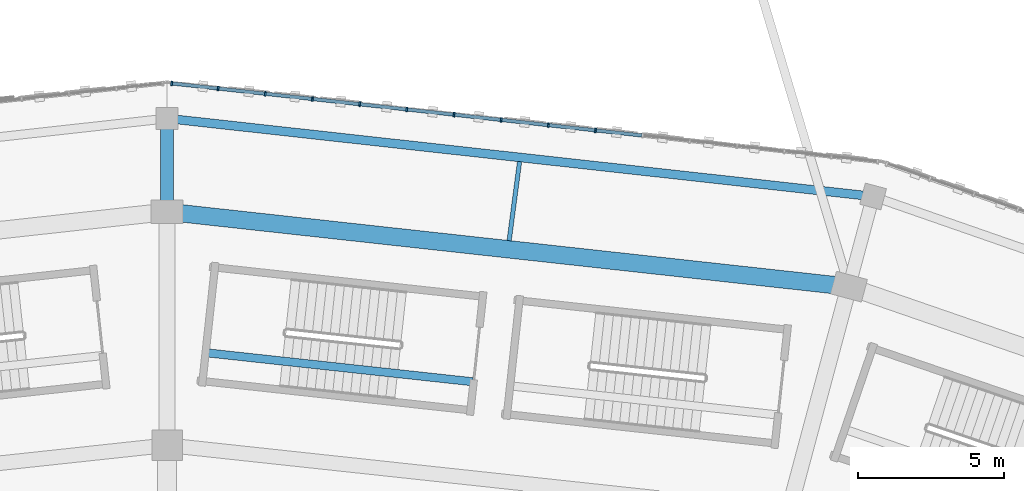
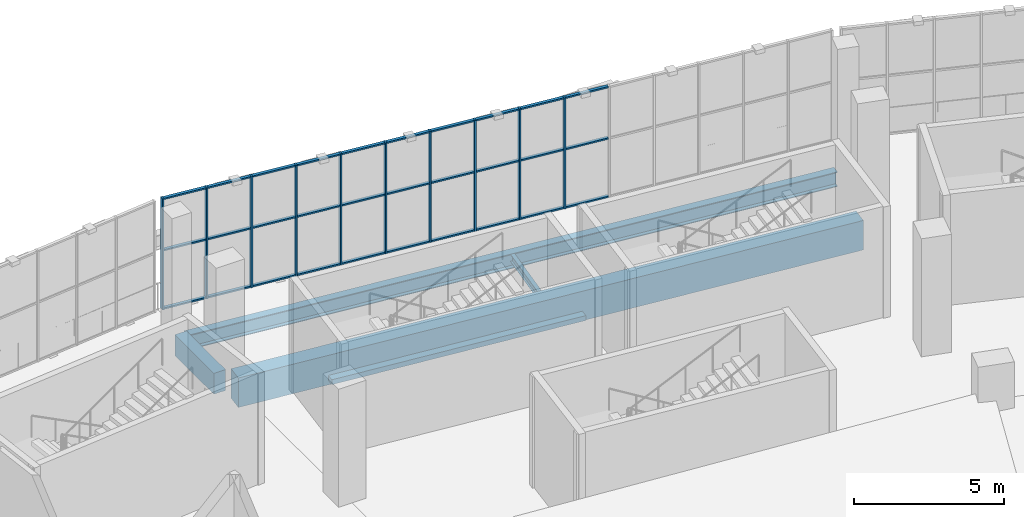
# One storey, part 59 of 183: 40 members, 5 beams, 1 element without a shape of its own.
"""IFC4 building model written with IfcOpenShell, lengths in metres."""

import ifcopenshell
import ifcopenshell.guid

model = None  # the IFC model being written
_history = None  # IfcOwnerHistory: only IFC2X3 demands one
_inside = {}  # id of a spatial element -> (the spatial element, [elements in it])
_under = {}  # id of a project, library or spatial element -> (it, [spatial elements below it])
_declared = {}  # id of a project -> (the project, [libraries it declares])
_typed = {}  # id of a type object -> (the type object, [elements of that type])
_made_of = {}  # id of a material, layer set ... -> (it, [elements and type objects made of it])


def new_model(schema):
    """Start an empty IFC model of exactly this schema.

    Asked for "IFC4X3", IfcOpenShell would pick the latest addendum, in which some entities
    have other attributes; the version numbers below select the first issue.
    IFC2X3 requires an IfcOwnerHistory on every rooted entity: one is made here for all.
    """
    global model, _history
    if schema == "IFC4X3":
        model = ifcopenshell.file(schema_version=(4, 3, 0, 0))
    else:
        model = ifcopenshell.file(schema=schema)
    _inside.clear()
    _under.clear()
    _declared.clear()
    _typed.clear()
    _made_of.clear()
    _history = None
    if model.schema == "IFC2X3":
        org = make("IfcOrganization", Name="unknown")
        user = make(
            "IfcPersonAndOrganization",
            ThePerson=make("IfcPerson", FamilyName="unknown"),
            TheOrganization=org,
        )
        app = make(
            "IfcApplication",
            ApplicationDeveloper=org,
            Version="unknown",
            ApplicationFullName="unknown",
            ApplicationIdentifier="unknown",
        )
        _history = make(
            "IfcOwnerHistory",
            OwningUser=user,
            OwningApplication=app,
            ChangeAction="ADDED",
            CreationDate=0,
        )
    return model


def make(cls, **values):
    """One entity of the class cls with the attributes given. An attribute that is None is left unset."""
    return model.create_entity(
        cls, **{name: value for name, value in values.items() if value is not None}
    )


def rooted(cls, **values):
    """An entity with a GlobalId (a new one), such as an element, a storey or a relation."""
    return make(cls, GlobalId=ifcopenshell.guid.new(), OwnerHistory=_history, **values)


def si_unit(unit_type, name, prefix=None):
    """IfcSIUnit, for example si_unit("LENGTHUNIT", "METRE", prefix="MILLI")."""
    return make("IfcSIUnit", UnitType=unit_type, Prefix=prefix, Name=name)


def assignment(units):
    """IfcUnitAssignment: the units of a project."""
    return None if units is None else make("IfcUnitAssignment", Units=units)


def point(xyz):
    """IfcCartesianPoint."""
    return None if xyz is None else make("IfcCartesianPoint", Coordinates=xyz)


def direction(xyz):
    """IfcDirection."""
    return None if xyz is None else make("IfcDirection", DirectionRatios=xyz)


def frame(location, z_axis=None, x_axis=None):
    """IfcAxis2Placement3D, a coordinate frame: its origin and axes. An axis left out is left unset."""
    return make(
        "IfcAxis2Placement3D",
        Location=point(location),
        Axis=direction(z_axis),
        RefDirection=direction(x_axis),
    )


def frame_2d(location, x_axis=None):
    """IfcAxis2Placement2D, a coordinate frame in the plane: its origin and x axis."""
    return make(
        "IfcAxis2Placement2D", Location=point(location), RefDirection=direction(x_axis)
    )


def origin():
    """The frame at (0, 0, 0) with its axes left unset."""
    return frame((0.0, 0.0, 0.0))


def origin_2d():
    """The frame at (0, 0) in the plane with its x axis left unset."""
    return frame_2d((0.0, 0.0))


def place(relative_to, where):
    """IfcLocalPlacement: puts the frame where relative to a parent placement (None: the world)."""
    return make(
        "IfcLocalPlacement", PlacementRelTo=relative_to, RelativePlacement=where
    )


def context(
    kind, dimensions, precision=None, world=None, true_north=None, identifier=None
):
    """IfcGeometricRepresentationContext, for example the 3D "Model" context."""
    return make(
        "IfcGeometricRepresentationContext",
        ContextIdentifier=identifier,
        ContextType=kind,
        CoordinateSpaceDimension=dimensions,
        Precision=precision,
        WorldCoordinateSystem=world,
        TrueNorth=true_north,
    )


def subcontext(parent, identifier, kind, view, scale=None):
    """IfcGeometricRepresentationSubContext, for example "Body" below "Model"."""
    return make(
        "IfcGeometricRepresentationSubContext",
        ContextIdentifier=identifier,
        ContextType=kind,
        ParentContext=parent,
        TargetScale=scale,
        TargetView=view,
    )


def project(units=None, contexts=None):
    """IfcProject with its units and contexts."""
    return rooted(
        "IfcProject",
        Name="project",
        RepresentationContexts=contexts,
        UnitsInContext=assignment(units),
    )


def spatial(cls, under=None, at=None, **own):
    """A site, building, storey or space (cls), placed at a placement, below another one or the project."""
    s = rooted(cls, ObjectPlacement=at, **own)
    if under is not None:
        _under.setdefault(under.id(), (under, []))[1].append(s)
    return s


def profile(cls, at=None, kind="AREA", **sizes):
    """A parametric profile (cls). Its sizes go by their IFC names, for example OverallWidth=200.0."""
    return make(cls, ProfileType=kind, Position=at, **sizes)


def rectangle(**sizes):
    """IfcRectangleProfileDef."""
    return profile("IfcRectangleProfileDef", **sizes)


def i_section(**sizes):
    """IfcIShapeProfileDef."""
    return profile("IfcIShapeProfileDef", **sizes)


def extrude(swept, where, along, depth):
    """IfcExtrudedAreaSolid: the profile swept, set in the frame where, extruded along a direction by depth."""
    return make(
        "IfcExtrudedAreaSolid",
        SweptArea=swept,
        Position=where,
        ExtrudedDirection=direction(along),
        Depth=depth,
    )


def shape(context_of_items, identifier, shape_type, items):
    """IfcShapeRepresentation: the items that make up one representation, for example the "Body"."""
    return make(
        "IfcShapeRepresentation",
        ContextOfItems=context_of_items,
        RepresentationIdentifier=identifier,
        RepresentationType=shape_type,
        Items=items,
    )


def material(Name=None, Category=None):
    """IfcMaterial."""
    return make("IfcMaterial", Name=Name, Category=Category)


def material_profile(
    of_material, cross_section, Name=None, Category=None, Priority=None
):
    """IfcMaterialProfile: a cross section and its material."""
    return make(
        "IfcMaterialProfile",
        Name=Name,
        Material=of_material,
        Profile=cross_section,
        Priority=Priority,
        Category=Category,
    )


def profile_set(profiles, Name=None, composite=None):
    """IfcMaterialProfileSet."""
    return make(
        "IfcMaterialProfileSet",
        Name=Name,
        MaterialProfiles=profiles,
        CompositeProfile=composite,
    )


def made_of(thing, what):
    """Note that an element or type object is made of a material, layer set ...; save() writes the relation."""
    if what is not None:
        _made_of.setdefault(what.id(), (what, []))[1].append(thing)
    return thing


def type_object(cls, material=None, **own):
    """A type object (cls), such as IfcWallType, which elements share."""
    return made_of(rooted(cls, **own), material)


def element(
    cls,
    number,
    at=None,
    inside=None,
    cuts=None,
    type_object=None,
    material=None,
    context=None,
    identifier="Body",
    shape_type=None,
    held_by="IfcProductDefinitionShape",
    body=None,
    shapes=None,
    **own,
):
    """One element of the class cls, such as IfcWall. Its Tag is "e" and its number.

    at: its placement. inside: the storey or other place that contains it. cuts: it is an
    opening in that element (IfcRelVoidsElement). A single representation is given by context,
    identifier, shape_type and body (its items); several are given by shapes. held_by: the class
    of the entity that holds the representations. save() writes the other relations.
    """
    e = rooted(cls, Tag="e%d" % number, ObjectPlacement=at, **own)
    if body is not None:
        shapes = [shape(context, identifier, shape_type, body)]
    if shapes is not None:
        e.Representation = make(held_by, Representations=shapes)
    if inside is not None:
        _inside.setdefault(inside.id(), (inside, []))[1].append(e)
    if cuts is not None:
        rooted(
            "IfcRelVoidsElement", RelatingBuildingElement=cuts, RelatedOpeningElement=e
        )
    if type_object is not None:
        _typed.setdefault(type_object.id(), (type_object, []))[1].append(e)
    return made_of(e, material)


def aggregate(whole, parts):
    """IfcRelAggregates: a whole, such as a stair, and the parts it consists of."""
    return rooted("IfcRelAggregates", RelatingObject=whole, RelatedObjects=parts)


def save(model, path):
    """Write the relations noted so far, then the file.

    IfcRelAggregates (storeys below a building ...), IfcRelContainedInSpatialStructure (elements
    in a storey), IfcRelDefinesByType, IfcRelAssociatesMaterial and IfcRelDeclares: one each for
    every whole, place, type object, material and project.
    """
    for whole, parts in _under.values():
        aggregate(whole, parts)
    for where, things in _inside.values():
        rooted(
            "IfcRelContainedInSpatialStructure",
            RelatedElements=things,
            RelatingStructure=where,
        )
    for kind, things in _typed.values():
        rooted("IfcRelDefinesByType", RelatedObjects=things, RelatingType=kind)
    for what, things in _made_of.values():
        rooted("IfcRelAssociatesMaterial", RelatedObjects=things, RelatingMaterial=what)
    for by, libraries in _declared.values():
        rooted("IfcRelDeclares", RelatingContext=by, RelatedDefinitions=libraries)
    model.write(path)


model = new_model("IFC4")

# Units and contexts
model_context = context("Model", 3, precision=1e-05, world=origin(), true_north=direction((0.0, 1.0)))
body_context = subcontext(model_context, "Body", "Model", "MODEL_VIEW")
ifc_project = project(units=[si_unit("LENGTHUNIT", "METRE"), si_unit("AREAUNIT", "SQUARE_METRE"), si_unit("VOLUMEUNIT", "CUBIC_METRE"), si_unit("PLANEANGLEUNIT", "RADIAN"), si_unit("MASSUNIT", "GRAM", prefix="KILO")], contexts=[model_context])

# Site, building, storey
site_placement = place(None, origin())
site = spatial("IfcSite", under=ifc_project, at=site_placement, CompositionType="ELEMENT")
building_placement = place(site_placement, origin())
building = spatial("IfcBuilding", under=site, at=building_placement, Name="Zevraka Park Crest Stadium", CompositionType="ELEMENT")
storey_placement = place(building_placement, frame((0.0, 0.0, 5.39990234375)))
storey = spatial("IfcBuildingStorey", under=building, at=storey_placement, Name="L01", CompositionType="ELEMENT", Elevation=5.39990234375)

# Beam
ifc_material_1 = material(Name="Concrete C40/50", Category="concrete")
ifc_material_profile_1 = material_profile(ifc_material_1, rectangle(XDim=0.449951171875, YDim=0.85009765625, at=origin_2d()), Name="RC 850x450")
ifc_profile_set_1 = profile_set([ifc_material_profile_1], Name="Concrete C40/50")
beam_type_1 = type_object("IfcBeamType", Name="BG03", PredefinedType="BEAM", material=ifc_profile_set_1)
beam_1_placement = place(storey_placement, frame((112.0, 167.60009765625, -0.434814453125), z_axis=(0.0, 1.0, 0.0), x_axis=(-1.0, 0.0, 0.0)))
element("IfcBeam", 1, at=beam_1_placement, inside=storey, type_object=beam_type_1, Name="Radial Girder BG03 L01-DE-06", PredefinedType="BEAM", context=body_context, shape_type="SweptSolid", body=[
    extrude(rectangle(XDim=0.449951171875, YDim=0.85009765625, at=origin_2d()), origin(), (0.0, 0.0, 1.0), 2.599853515625),
])

# Curtain wall, members
ifc_material_2 = material(Name="Anodised architectural aluminium and laminated safety glass", Category="aluminium")
curtain_wall_type = type_object("IfcCurtainWallType", Name="CW01", PredefinedType="NOTDEFINED", material=ifc_material_2)
curtain_wall_placement = place(storey_placement, origin())
curtain_wall = element("IfcCurtainWall", 2, at=curtain_wall_placement, inside=storey, type_object=curtain_wall_type, Name="Unitised Ring Curtain Wall CW01 L01-05", PredefinedType="NOTDEFINED")
ifc_material_3 = material(Name="Anodised architectural aluminium", Category="aluminium")
ifc_material_profile_2 = material_profile(ifc_material_3, rectangle(XDim=0.159912109375, YDim=0.06005859375, at=origin_2d()), Name="ALU MULLION 160x60")
ifc_profile_set_2 = profile_set([ifc_material_profile_2], Name="Anodised architectural aluminium")
member_type_1 = type_object("IfcMemberType", Name="CM01", PredefinedType="MULLION", material=ifc_profile_set_2)
member_1_placement = place(storey_placement, frame((126.684814453125, 170.09228515625, 0.0), z_axis=(0.0, 0.0, 1.0), x_axis=(-0.110134718639, -0.993916668414, 0.0)))
member_1 = element("IfcMember", 3, at=member_1_placement, type_object=member_type_1, Name="CW01 mullion 7", PredefinedType="MULLION", context=body_context, shape_type="SweptSolid", body=[
    extrude(rectangle(XDim=0.159912109375, YDim=0.06005859375, at=origin_2d()), origin(), (0.0, 0.0, 1.0), 4.52001953125),
])
member_2_placement = place(storey_placement, frame((125.067626953125, 170.271484375, 0.0), z_axis=(0.0, 0.0, 1.0), x_axis=(-0.110134718639, -0.993916668414, 0.0)))
member_2 = element("IfcMember", 4, at=member_2_placement, type_object=member_type_1, Name="CW01 mullion 8", PredefinedType="MULLION", context=body_context, shape_type="SweptSolid", body=[
    extrude(rectangle(XDim=0.159912109375, YDim=0.06005859375, at=origin_2d()), origin(), (0.0, 0.0, 1.0), 4.52001953125),
])
member_3_placement = place(storey_placement, frame((123.450439453125, 170.45068359375, 0.0), z_axis=(0.0, 0.0, 1.0), x_axis=(-0.110134718639, -0.993916668414, 0.0)))
member_3 = element("IfcMember", 5, at=member_3_placement, type_object=member_type_1, Name="CW01 mullion 9", PredefinedType="MULLION", context=body_context, shape_type="SweptSolid", body=[
    extrude(rectangle(XDim=0.159912109375, YDim=0.06005859375, at=origin_2d()), origin(), (0.0, 0.0, 1.0), 4.52001953125),
])
member_4_placement = place(storey_placement, frame((121.833251953125, 170.6298828125, 0.0), z_axis=(0.0, 0.0, 1.0), x_axis=(-0.110134718639, -0.993916668414, 0.0)))
member_4 = element("IfcMember", 6, at=member_4_placement, type_object=member_type_1, Name="CW01 mullion 10", PredefinedType="MULLION", context=body_context, shape_type="SweptSolid", body=[
    extrude(rectangle(XDim=0.159912109375, YDim=0.06005859375, at=origin_2d()), origin(), (0.0, 0.0, 1.0), 4.52001953125),
])
member_5_placement = place(storey_placement, frame((120.216064453125, 170.80908203125, 0.0), z_axis=(0.0, 0.0, 1.0), x_axis=(-0.110134718639, -0.993916668414, 0.0)))
member_5 = element("IfcMember", 7, at=member_5_placement, type_object=member_type_1, Name="CW01 mullion 11", PredefinedType="MULLION", context=body_context, shape_type="SweptSolid", body=[
    extrude(rectangle(XDim=0.159912109375, YDim=0.06005859375, at=origin_2d()), origin(), (0.0, 0.0, 1.0), 4.52001953125),
])
member_6_placement = place(storey_placement, frame((118.598876953125, 170.98828125, 0.0), z_axis=(0.0, 0.0, 1.0), x_axis=(-0.110134718639, -0.993916668414, 0.0)))
member_6 = element("IfcMember", 8, at=member_6_placement, type_object=member_type_1, Name="CW01 mullion 12", PredefinedType="MULLION", context=body_context, shape_type="SweptSolid", body=[
    extrude(rectangle(XDim=0.159912109375, YDim=0.06005859375, at=origin_2d()), origin(), (0.0, 0.0, 1.0), 4.52001953125),
])
member_7_placement = place(storey_placement, frame((116.981689453125, 171.16748046875, 0.0), z_axis=(0.0, 0.0, 1.0), x_axis=(-0.110134718639, -0.993916668414, 0.0)))
member_7 = element("IfcMember", 9, at=member_7_placement, type_object=member_type_1, Name="CW01 mullion 13", PredefinedType="MULLION", context=body_context, shape_type="SweptSolid", body=[
    extrude(rectangle(XDim=0.159912109375, YDim=0.06005859375, at=origin_2d()), origin(), (0.0, 0.0, 1.0), 4.52001953125),
])
member_8_placement = place(storey_placement, frame((115.364501953125, 171.3466796875, 0.0), z_axis=(0.0, 0.0, 1.0), x_axis=(-0.110134718639, -0.993916668414, 0.0)))
member_8 = element("IfcMember", 10, at=member_8_placement, type_object=member_type_1, Name="CW01 mullion 14", PredefinedType="MULLION", context=body_context, shape_type="SweptSolid", body=[
    extrude(rectangle(XDim=0.159912109375, YDim=0.06005859375, at=origin_2d()), origin(), (0.0, 0.0, 1.0), 4.52001953125),
])
member_9_placement = place(storey_placement, frame((113.747314453125, 171.52587890625, 0.0), z_axis=(0.0, 0.0, 1.0), x_axis=(-0.110134718639, -0.993916668414, 0.0)))
member_9 = element("IfcMember", 11, at=member_9_placement, type_object=member_type_1, Name="CW01 mullion 15", PredefinedType="MULLION", context=body_context, shape_type="SweptSolid", body=[
    extrude(rectangle(XDim=0.159912109375, YDim=0.06005859375, at=origin_2d()), origin(), (0.0, 0.0, 1.0), 4.52001953125),
])
member_10_placement = place(storey_placement, frame((112.159912109375, 171.70166015625, 0.0), z_axis=(0.0, 0.0, 1.0), x_axis=(-0.110134718639, -0.993916668414, 0.0)))
member_10 = element("IfcMember", 12, at=member_10_placement, type_object=member_type_1, Name="CW01 mullion 16", PredefinedType="MULLION", context=body_context, shape_type="SweptSolid", body=[
    extrude(rectangle(XDim=0.159912109375, YDim=0.06005859375, at=origin_2d()), origin(), (0.0, 0.0, 1.0), 4.52001953125),
])
ifc_material_4 = material(Name="Anodised architectural aluminium", Category="aluminium")
ifc_material_profile_3 = material_profile(ifc_material_4, rectangle(XDim=0.1201171875, YDim=0.06005859375, at=origin_2d()), Name="ALU TRANSOM 120x60")
ifc_profile_set_3 = profile_set([ifc_material_profile_3], Name="Anodised architectural aluminium")
member_type_2 = type_object("IfcMemberType", Name="CT01", PredefinedType="USERDEFINED", material=ifc_profile_set_3)
member_11_placement = place(storey_placement, frame((128.272216796875, 169.916259765625, 0.030029296875), z_axis=(-0.993915989308, 0.110140847091, 0.0), x_axis=(-0.110140847091, -0.993915989308, 0.0)))
member_11 = element("IfcMember", 13, at=member_11_placement, type_object=member_type_2, Name="CW01 transom 6.1", ObjectType="TRANSOM", PredefinedType="USERDEFINED", context=body_context, shape_type="SweptSolid", body=[
    extrude(rectangle(XDim=0.1201171875, YDim=0.06005859375, at=origin_2d()), origin(), (0.0, 0.0, 1.0), 1.567138671875),
])
member_12_placement = place(storey_placement, frame((128.272216796875, 169.916259765625, 2.400146484375), z_axis=(-0.993915989308, 0.110140847091, 0.0), x_axis=(-0.110140847091, -0.993915989308, 0.0)))
member_12 = element("IfcMember", 14, at=member_12_placement, type_object=member_type_2, Name="CW01 transom 6.2", ObjectType="TRANSOM", PredefinedType="USERDEFINED", context=body_context, shape_type="SweptSolid", body=[
    extrude(rectangle(XDim=0.1201171875, YDim=0.06005859375, at=origin_2d()), origin(), (0.0, 0.0, 1.0), 1.567138671875),
])
member_13_placement = place(storey_placement, frame((128.272216796875, 169.916259765625, 4.489990234375), z_axis=(-0.993915989308, 0.110140847091, 0.0), x_axis=(-0.110140847091, -0.993915989308, 0.0)))
member_13 = element("IfcMember", 15, at=member_13_placement, type_object=member_type_2, Name="CW01 transom 6.3", ObjectType="TRANSOM", PredefinedType="USERDEFINED", context=body_context, shape_type="SweptSolid", body=[
    extrude(rectangle(XDim=0.1201171875, YDim=0.06005859375, at=origin_2d()), origin(), (0.0, 0.0, 1.0), 1.567138671875),
])
member_14_placement = place(storey_placement, frame((126.655029296875, 170.095458984375, 0.030029296875), z_axis=(-0.993915989308, 0.110140847091, 0.0), x_axis=(-0.110140847091, -0.993915989308, 0.0)))
member_14 = element("IfcMember", 16, at=member_14_placement, type_object=member_type_2, Name="CW01 transom 7.1", ObjectType="TRANSOM", PredefinedType="USERDEFINED", context=body_context, shape_type="SweptSolid", body=[
    extrude(rectangle(XDim=0.1201171875, YDim=0.06005859375, at=origin_2d()), origin(), (0.0, 0.0, 1.0), 1.567138671875),
])
member_15_placement = place(storey_placement, frame((126.655029296875, 170.095458984375, 2.400146484375), z_axis=(-0.993915989308, 0.110140847091, 0.0), x_axis=(-0.110140847091, -0.993915989308, 0.0)))
member_15 = element("IfcMember", 17, at=member_15_placement, type_object=member_type_2, Name="CW01 transom 7.2", ObjectType="TRANSOM", PredefinedType="USERDEFINED", context=body_context, shape_type="SweptSolid", body=[
    extrude(rectangle(XDim=0.1201171875, YDim=0.06005859375, at=origin_2d()), origin(), (0.0, 0.0, 1.0), 1.567138671875),
])
member_16_placement = place(storey_placement, frame((126.655029296875, 170.095458984375, 4.489990234375), z_axis=(-0.993915989308, 0.110140847091, 0.0), x_axis=(-0.110140847091, -0.993915989308, 0.0)))
member_16 = element("IfcMember", 18, at=member_16_placement, type_object=member_type_2, Name="CW01 transom 7.3", ObjectType="TRANSOM", PredefinedType="USERDEFINED", context=body_context, shape_type="SweptSolid", body=[
    extrude(rectangle(XDim=0.1201171875, YDim=0.06005859375, at=origin_2d()), origin(), (0.0, 0.0, 1.0), 1.567138671875),
])
member_17_placement = place(storey_placement, frame((125.037841796875, 170.274658203125, 0.030029296875), z_axis=(-0.993915989308, 0.110140847091, 0.0), x_axis=(-0.110140847091, -0.993915989308, 0.0)))
member_17 = element("IfcMember", 19, at=member_17_placement, type_object=member_type_2, Name="CW01 transom 8.1", ObjectType="TRANSOM", PredefinedType="USERDEFINED", context=body_context, shape_type="SweptSolid", body=[
    extrude(rectangle(XDim=0.1201171875, YDim=0.06005859375, at=origin_2d()), origin(), (0.0, 0.0, 1.0), 1.567138671875),
])
member_18_placement = place(storey_placement, frame((125.037841796875, 170.274658203125, 2.400146484375), z_axis=(-0.993915989308, 0.110140847091, 0.0), x_axis=(-0.110140847091, -0.993915989308, 0.0)))
member_18 = element("IfcMember", 20, at=member_18_placement, type_object=member_type_2, Name="CW01 transom 8.2", ObjectType="TRANSOM", PredefinedType="USERDEFINED", context=body_context, shape_type="SweptSolid", body=[
    extrude(rectangle(XDim=0.1201171875, YDim=0.06005859375, at=origin_2d()), origin(), (0.0, 0.0, 1.0), 1.567138671875),
])
member_19_placement = place(storey_placement, frame((125.037841796875, 170.274658203125, 4.489990234375), z_axis=(-0.993915989308, 0.110140847091, 0.0), x_axis=(-0.110140847091, -0.993915989308, 0.0)))
member_19 = element("IfcMember", 21, at=member_19_placement, type_object=member_type_2, Name="CW01 transom 8.3", ObjectType="TRANSOM", PredefinedType="USERDEFINED", context=body_context, shape_type="SweptSolid", body=[
    extrude(rectangle(XDim=0.1201171875, YDim=0.06005859375, at=origin_2d()), origin(), (0.0, 0.0, 1.0), 1.567138671875),
])
member_20_placement = place(storey_placement, frame((123.420654296875, 170.453857421875, 0.030029296875), z_axis=(-0.993915989308, 0.110140847091, 0.0), x_axis=(-0.110140847091, -0.993915989308, 0.0)))
member_20 = element("IfcMember", 22, at=member_20_placement, type_object=member_type_2, Name="CW01 transom 9.1", ObjectType="TRANSOM", PredefinedType="USERDEFINED", context=body_context, shape_type="SweptSolid", body=[
    extrude(rectangle(XDim=0.1201171875, YDim=0.06005859375, at=origin_2d()), origin(), (0.0, 0.0, 1.0), 1.567138671875),
])
member_21_placement = place(storey_placement, frame((123.420654296875, 170.453857421875, 2.400146484375), z_axis=(-0.993915989308, 0.110140847091, 0.0), x_axis=(-0.110140847091, -0.993915989308, 0.0)))
member_21 = element("IfcMember", 23, at=member_21_placement, type_object=member_type_2, Name="CW01 transom 9.2", ObjectType="TRANSOM", PredefinedType="USERDEFINED", context=body_context, shape_type="SweptSolid", body=[
    extrude(rectangle(XDim=0.1201171875, YDim=0.06005859375, at=origin_2d()), origin(), (0.0, 0.0, 1.0), 1.567138671875),
])
member_22_placement = place(storey_placement, frame((123.420654296875, 170.453857421875, 4.489990234375), z_axis=(-0.993915989308, 0.110140847091, 0.0), x_axis=(-0.110140847091, -0.993915989308, 0.0)))
member_22 = element("IfcMember", 24, at=member_22_placement, type_object=member_type_2, Name="CW01 transom 9.3", ObjectType="TRANSOM", PredefinedType="USERDEFINED", context=body_context, shape_type="SweptSolid", body=[
    extrude(rectangle(XDim=0.1201171875, YDim=0.06005859375, at=origin_2d()), origin(), (0.0, 0.0, 1.0), 1.567138671875),
])
member_23_placement = place(storey_placement, frame((121.803466796875, 170.633056640625, 0.030029296875), z_axis=(-0.993915989308, 0.110140847091, 0.0), x_axis=(-0.110140847091, -0.993915989308, 0.0)))
member_23 = element("IfcMember", 25, at=member_23_placement, type_object=member_type_2, Name="CW01 transom 10.1", ObjectType="TRANSOM", PredefinedType="USERDEFINED", context=body_context, shape_type="SweptSolid", body=[
    extrude(rectangle(XDim=0.1201171875, YDim=0.06005859375, at=origin_2d()), origin(), (0.0, 0.0, 1.0), 1.567138671875),
])
member_24_placement = place(storey_placement, frame((121.803466796875, 170.633056640625, 2.400146484375), z_axis=(-0.993915989308, 0.110140847091, 0.0), x_axis=(-0.110140847091, -0.993915989308, 0.0)))
member_24 = element("IfcMember", 26, at=member_24_placement, type_object=member_type_2, Name="CW01 transom 10.2", ObjectType="TRANSOM", PredefinedType="USERDEFINED", context=body_context, shape_type="SweptSolid", body=[
    extrude(rectangle(XDim=0.1201171875, YDim=0.06005859375, at=origin_2d()), origin(), (0.0, 0.0, 1.0), 1.567138671875),
])
member_25_placement = place(storey_placement, frame((121.803466796875, 170.633056640625, 4.489990234375), z_axis=(-0.993915989308, 0.110140847091, 0.0), x_axis=(-0.110140847091, -0.993915989308, 0.0)))
member_25 = element("IfcMember", 27, at=member_25_placement, type_object=member_type_2, Name="CW01 transom 10.3", ObjectType="TRANSOM", PredefinedType="USERDEFINED", context=body_context, shape_type="SweptSolid", body=[
    extrude(rectangle(XDim=0.1201171875, YDim=0.06005859375, at=origin_2d()), origin(), (0.0, 0.0, 1.0), 1.567138671875),
])
member_26_placement = place(storey_placement, frame((120.186279296875, 170.812255859375, 0.030029296875), z_axis=(-0.993915989308, 0.110140847091, 0.0), x_axis=(-0.110140847091, -0.993915989308, 0.0)))
member_26 = element("IfcMember", 28, at=member_26_placement, type_object=member_type_2, Name="CW01 transom 11.1", ObjectType="TRANSOM", PredefinedType="USERDEFINED", context=body_context, shape_type="SweptSolid", body=[
    extrude(rectangle(XDim=0.1201171875, YDim=0.06005859375, at=origin_2d()), origin(), (0.0, 0.0, 1.0), 1.567138671875),
])
member_27_placement = place(storey_placement, frame((120.186279296875, 170.812255859375, 2.400146484375), z_axis=(-0.993915989308, 0.110140847091, 0.0), x_axis=(-0.110140847091, -0.993915989308, 0.0)))
member_27 = element("IfcMember", 29, at=member_27_placement, type_object=member_type_2, Name="CW01 transom 11.2", ObjectType="TRANSOM", PredefinedType="USERDEFINED", context=body_context, shape_type="SweptSolid", body=[
    extrude(rectangle(XDim=0.1201171875, YDim=0.06005859375, at=origin_2d()), origin(), (0.0, 0.0, 1.0), 1.567138671875),
])
member_28_placement = place(storey_placement, frame((120.186279296875, 170.812255859375, 4.489990234375), z_axis=(-0.993915989308, 0.110140847091, 0.0), x_axis=(-0.110140847091, -0.993915989308, 0.0)))
member_28 = element("IfcMember", 30, at=member_28_placement, type_object=member_type_2, Name="CW01 transom 11.3", ObjectType="TRANSOM", PredefinedType="USERDEFINED", context=body_context, shape_type="SweptSolid", body=[
    extrude(rectangle(XDim=0.1201171875, YDim=0.06005859375, at=origin_2d()), origin(), (0.0, 0.0, 1.0), 1.567138671875),
])
member_29_placement = place(storey_placement, frame((118.569091796875, 170.991455078125, 0.030029296875), z_axis=(-0.993915989308, 0.110140847091, 0.0), x_axis=(-0.110140847091, -0.993915989308, 0.0)))
member_29 = element("IfcMember", 31, at=member_29_placement, type_object=member_type_2, Name="CW01 transom 12.1", ObjectType="TRANSOM", PredefinedType="USERDEFINED", context=body_context, shape_type="SweptSolid", body=[
    extrude(rectangle(XDim=0.1201171875, YDim=0.06005859375, at=origin_2d()), origin(), (0.0, 0.0, 1.0), 1.567138671875),
])
member_30_placement = place(storey_placement, frame((118.569091796875, 170.991455078125, 2.400146484375), z_axis=(-0.993915989308, 0.110140847091, 0.0), x_axis=(-0.110140847091, -0.993915989308, 0.0)))
member_30 = element("IfcMember", 32, at=member_30_placement, type_object=member_type_2, Name="CW01 transom 12.2", ObjectType="TRANSOM", PredefinedType="USERDEFINED", context=body_context, shape_type="SweptSolid", body=[
    extrude(rectangle(XDim=0.1201171875, YDim=0.06005859375, at=origin_2d()), origin(), (0.0, 0.0, 1.0), 1.567138671875),
])
member_31_placement = place(storey_placement, frame((118.569091796875, 170.991455078125, 4.489990234375), z_axis=(-0.993915989308, 0.110140847091, 0.0), x_axis=(-0.110140847091, -0.993915989308, 0.0)))
member_31 = element("IfcMember", 33, at=member_31_placement, type_object=member_type_2, Name="CW01 transom 12.3", ObjectType="TRANSOM", PredefinedType="USERDEFINED", context=body_context, shape_type="SweptSolid", body=[
    extrude(rectangle(XDim=0.1201171875, YDim=0.06005859375, at=origin_2d()), origin(), (0.0, 0.0, 1.0), 1.567138671875),
])
member_32_placement = place(storey_placement, frame((116.951904296875, 171.170654296875, 0.030029296875), z_axis=(-0.993915989308, 0.110140847091, 0.0), x_axis=(-0.110140847091, -0.993915989308, 0.0)))
member_32 = element("IfcMember", 34, at=member_32_placement, type_object=member_type_2, Name="CW01 transom 13.1", ObjectType="TRANSOM", PredefinedType="USERDEFINED", context=body_context, shape_type="SweptSolid", body=[
    extrude(rectangle(XDim=0.1201171875, YDim=0.06005859375, at=origin_2d()), origin(), (0.0, 0.0, 1.0), 1.567138671875),
])
member_33_placement = place(storey_placement, frame((116.951904296875, 171.170654296875, 2.400146484375), z_axis=(-0.993915989308, 0.110140847091, 0.0), x_axis=(-0.110140847091, -0.993915989308, 0.0)))
member_33 = element("IfcMember", 35, at=member_33_placement, type_object=member_type_2, Name="CW01 transom 13.2", ObjectType="TRANSOM", PredefinedType="USERDEFINED", context=body_context, shape_type="SweptSolid", body=[
    extrude(rectangle(XDim=0.1201171875, YDim=0.06005859375, at=origin_2d()), origin(), (0.0, 0.0, 1.0), 1.567138671875),
])
member_34_placement = place(storey_placement, frame((116.951904296875, 171.170654296875, 4.489990234375), z_axis=(-0.993915989308, 0.110140847091, 0.0), x_axis=(-0.110140847091, -0.993915989308, 0.0)))
member_34 = element("IfcMember", 36, at=member_34_placement, type_object=member_type_2, Name="CW01 transom 13.3", ObjectType="TRANSOM", PredefinedType="USERDEFINED", context=body_context, shape_type="SweptSolid", body=[
    extrude(rectangle(XDim=0.1201171875, YDim=0.06005859375, at=origin_2d()), origin(), (0.0, 0.0, 1.0), 1.567138671875),
])
member_35_placement = place(storey_placement, frame((115.33447265625, 171.349853515625, 0.030029296875), z_axis=(-0.993914099026, 0.110157903748, 0.0), x_axis=(-0.110157903748, -0.993914099026, 0.0)))
member_35 = element("IfcMember", 37, at=member_35_placement, type_object=member_type_2, Name="CW01 transom 14.1", ObjectType="TRANSOM", PredefinedType="USERDEFINED", context=body_context, shape_type="SweptSolid", body=[
    extrude(rectangle(XDim=0.1201171875, YDim=0.06005859375, at=origin_2d()), origin(), (0.0, 0.0, 1.0), 1.56689453125),
])
member_36_placement = place(storey_placement, frame((115.33447265625, 171.349853515625, 2.400146484375), z_axis=(-0.993914099026, 0.110157903748, 0.0), x_axis=(-0.110157903748, -0.993914099026, 0.0)))
member_36 = element("IfcMember", 38, at=member_36_placement, type_object=member_type_2, Name="CW01 transom 14.2", ObjectType="TRANSOM", PredefinedType="USERDEFINED", context=body_context, shape_type="SweptSolid", body=[
    extrude(rectangle(XDim=0.1201171875, YDim=0.06005859375, at=origin_2d()), origin(), (0.0, 0.0, 1.0), 1.56689453125),
])
member_37_placement = place(storey_placement, frame((115.33447265625, 171.349853515625, 4.489990234375), z_axis=(-0.993914099026, 0.110157903748, 0.0), x_axis=(-0.110157903748, -0.993914099026, 0.0)))
member_37 = element("IfcMember", 39, at=member_37_placement, type_object=member_type_2, Name="CW01 transom 14.3", ObjectType="TRANSOM", PredefinedType="USERDEFINED", context=body_context, shape_type="SweptSolid", body=[
    extrude(rectangle(XDim=0.1201171875, YDim=0.06005859375, at=origin_2d()), origin(), (0.0, 0.0, 1.0), 1.56689453125),
])
member_38_placement = place(storey_placement, frame((113.71728515625, 171.529052734375, 0.030029296875), z_axis=(-0.993905024901, 0.11023974545, 0.0), x_axis=(-0.11023974545, -0.993905024901, 0.0)))
member_38 = element("IfcMember", 40, at=member_38_placement, type_object=member_type_2, Name="CW01 transom 15.1", ObjectType="TRANSOM", PredefinedType="USERDEFINED", context=body_context, shape_type="SweptSolid", body=[
    extrude(rectangle(XDim=0.1201171875, YDim=0.06005859375, at=origin_2d()), origin(), (0.0, 0.0, 1.0), 1.536865234375),
])
member_39_placement = place(storey_placement, frame((113.71728515625, 171.529052734375, 2.400146484375), z_axis=(-0.993905024901, 0.11023974545, 0.0), x_axis=(-0.11023974545, -0.993905024901, 0.0)))
member_39 = element("IfcMember", 41, at=member_39_placement, type_object=member_type_2, Name="CW01 transom 15.2", ObjectType="TRANSOM", PredefinedType="USERDEFINED", context=body_context, shape_type="SweptSolid", body=[
    extrude(rectangle(XDim=0.1201171875, YDim=0.06005859375, at=origin_2d()), origin(), (0.0, 0.0, 1.0), 1.536865234375),
])
member_40_placement = place(storey_placement, frame((113.71728515625, 171.529052734375, 4.489990234375), z_axis=(-0.993905024901, 0.11023974545, 0.0), x_axis=(-0.11023974545, -0.993905024901, 0.0)))
member_40 = element("IfcMember", 42, at=member_40_placement, type_object=member_type_2, Name="CW01 transom 15.3", ObjectType="TRANSOM", PredefinedType="USERDEFINED", context=body_context, shape_type="SweptSolid", body=[
    extrude(rectangle(XDim=0.1201171875, YDim=0.06005859375, at=origin_2d()), origin(), (0.0, 0.0, 1.0), 1.536865234375),
])
aggregate(curtain_wall, [member_1, member_2, member_3, member_4, member_5, member_6, member_7, member_8, member_9, member_10, member_11, member_12, member_13, member_14, member_15, member_16, member_17, member_18, member_19, member_20, member_21, member_22, member_23, member_24, member_25, member_26, member_27, member_28, member_29, member_30, member_31, member_32, member_33, member_34, member_35, member_36, member_37, member_38, member_39, member_40])

# Beams
ifc_material_5 = material(Name="Concrete C40/50", Category="concrete")
ifc_material_profile_4 = material_profile(ifc_material_5, rectangle(XDim=0.60009765625, YDim=1.199951171875, at=origin_2d()), Name="RC 1200x600")
ifc_profile_set_4 = profile_set([ifc_material_profile_4], Name="Concrete C40/50")
beam_type_2 = type_object("IfcBeamType", Name="RB01", PredefinedType="BEAM", material=ifc_profile_set_4)
beam_2_placement = place(storey_placement, frame((134.992919921875, 164.77490234375, -0.60986328125), z_axis=(-0.994021150509, 0.109187693174, 0.0), x_axis=(-0.109187693174, -0.994021150509, 0.0)))
element("IfcBeam", 43, at=beam_2_placement, inside=storey, type_object=beam_type_2, Name="Ring Beam RB01 L01-D-05", PredefinedType="BEAM", context=body_context, shape_type="SweptSolid", body=[
    extrude(rectangle(XDim=0.60009765625, YDim=1.199951171875, at=origin_2d()), origin(), (0.0, 0.0, 1.0), 22.7509765625),
])
ifc_material_6 = material(Name="Steel S355", Category="steel")
ifc_material_profile_5 = material_profile(ifc_material_6, i_section(OverallWidth=0.300048828125, OverallDepth=0.60009765625, WebThickness=0.015380859375, FlangeThickness=0.030029296875, at=origin_2d()), Name="HEB 600")
ifc_profile_set_5 = profile_set([ifc_material_profile_5], Name="Steel S355")
beam_type_3 = type_object("IfcBeamType", Name="RB03", PredefinedType="BEAM", material=ifc_profile_set_5)
beam_3_placement = place(storey_placement, frame((135.85205078125, 167.863037109375, -0.60498046875), z_axis=(-0.993942516724, 0.109901198576, 0.0), x_axis=(-0.109901198576, -0.993942516724, 0.0)))
element("IfcBeam", 44, at=beam_3_placement, inside=storey, type_object=beam_type_3, Name="Ring Beam RB03 L01-E-05", PredefinedType="BEAM", context=body_context, shape_type="SweptSolid", body=[
    extrude(i_section(OverallWidth=0.300048828125, OverallDepth=0.60009765625, WebThickness=0.015380859375, FlangeThickness=0.030029296875, at=origin_2d()), origin(), (0.0, 0.0, 1.0), 23.6474609375),
])
ifc_material_7 = material(Name="Steel S355", Category="steel")
ifc_material_profile_6 = material_profile(ifc_material_7, i_section(OverallWidth=0.14990234375, OverallDepth=0.300048828125, WebThickness=0.007080078125, FlangeThickness=0.0107421875, at=origin_2d()), Name="IPE 300")
ifc_profile_set_6 = profile_set([ifc_material_profile_6], Name="Steel S355")
beam_type_4 = type_object("IfcBeamType", Name="SJ01", PredefinedType="JOIST", material=ifc_profile_set_6)
beam_4_placement = place(storey_placement, frame((123.72412109375, 166.30908203125, -0.4580078125), z_axis=(0.13058389889, 0.991437262438, 0.0), x_axis=(-0.991437262438, 0.13058389889, 0.0)))
element("IfcBeam", 45, at=beam_4_placement, inside=storey, type_object=beam_type_4, Name="Floor Joist SJ01 L01-DE-05-1", PredefinedType="JOIST", context=body_context, shape_type="SweptSolid", body=[
    extrude(i_section(OverallWidth=0.14990234375, OverallDepth=0.300048828125, WebThickness=0.007080078125, FlangeThickness=0.0107421875, at=origin_2d()), origin(), (0.0, 0.0, 1.0), 2.7333984375),
])
ifc_material_8 = material(Name="Concrete C40/50", Category="concrete")
ifc_material_profile_7 = material_profile(ifc_material_8, rectangle(XDim=0.280029296875, YDim=0.199951171875, at=origin_2d()), Name="RC 200x280")
ifc_profile_set_7 = profile_set([ifc_material_profile_7], Name="Concrete C40/50")
beam_type_5 = type_object("IfcBeamType", Name="SJ13", PredefinedType="JOIST", material=ifc_profile_set_7)
beam_5_placement = place(storey_placement, frame((122.47998046875, 161.472900390625, 2.300048828125), z_axis=(-0.994127809114, 0.108212287404, 0.0), x_axis=(-0.108212287404, -0.994127809114, 0.0)))
element("IfcBeam", 46, at=beam_5_placement, inside=storey, type_object=beam_type_5, Name="Stair Upper-Flight Longitudinal Stringer SJ13 ST26-L01", PredefinedType="JOIST", context=body_context, shape_type="SweptSolid", body=[
    extrude(rectangle(XDim=0.280029296875, YDim=0.199951171875, at=origin_2d()), origin(), (0.0, 0.0, 1.0), 9.25),
])

save(model, "model.ifc")
